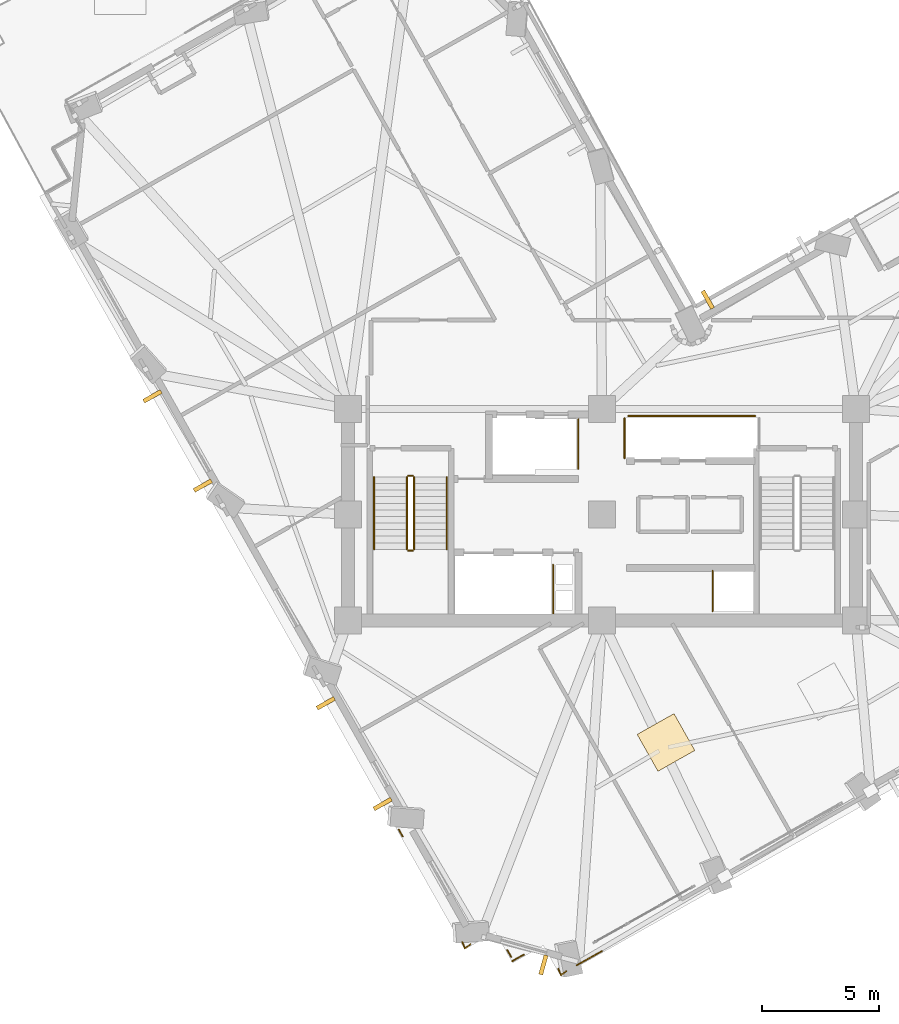
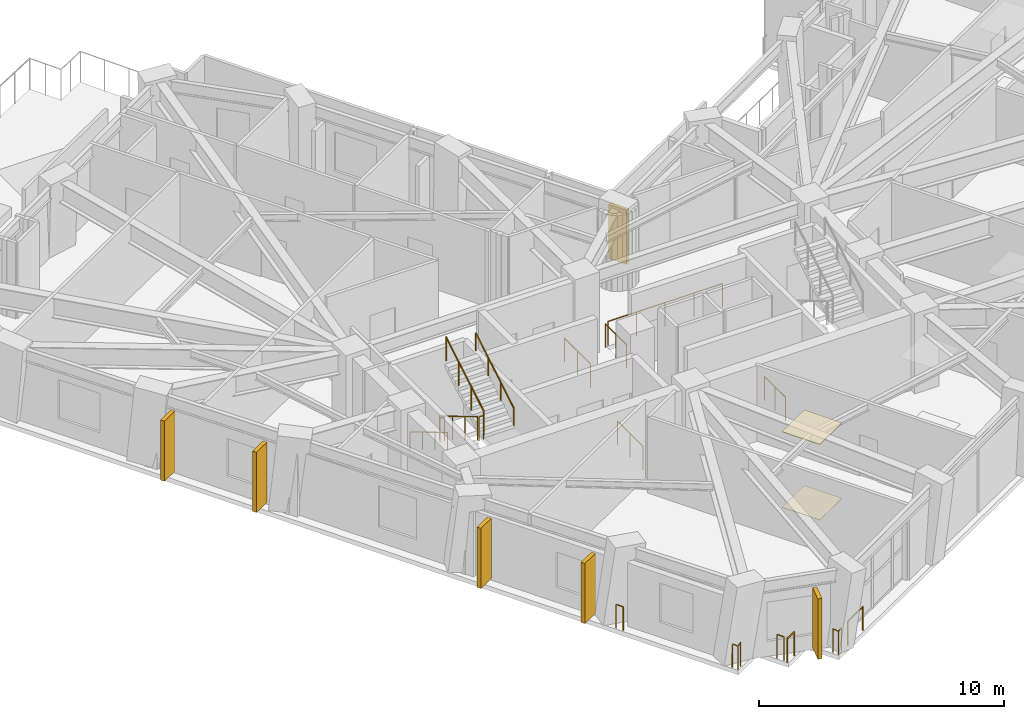
# One storey, part 15 of 18: 17 railings, 6 shading devices, 2 coverings.
"""IFC4 building model written with IfcOpenShell, lengths in metres."""

from ifc_helpers import new_model, si_unit, direction, frame, origin, origin_2d, place, context, subcontext, project, spatial, rectangle, circle, extrude, material, layer, layer_set, type_object, element, save


model = new_model("IFC4")

# Units and contexts
model_context = context("Model", 3, precision=1e-05, world=origin(), true_north=direction((0.0, 1.0)))
body_context = subcontext(model_context, "Body", "Model", "MODEL_VIEW")
ifc_project = project(units=[si_unit("LENGTHUNIT", "METRE"), si_unit("AREAUNIT", "SQUARE_METRE"), si_unit("VOLUMEUNIT", "CUBIC_METRE"), si_unit("PLANEANGLEUNIT", "RADIAN"), si_unit("MASSUNIT", "GRAM", prefix="KILO")], contexts=[model_context])

# Site, building, storey
site_placement = place(None, origin())
site = spatial("IfcSite", under=ifc_project, at=site_placement, CompositionType="ELEMENT")
building_placement = place(site_placement, origin())
building = spatial("IfcBuilding", under=site, at=building_placement, Name="Gaonmaruhae Medical Tower", CompositionType="ELEMENT")
storey_placement = place(building_placement, frame((0.0, 0.0, 149.800048828125)))
storey = spatial("IfcBuildingStorey", under=building, at=storey_placement, Name="L35", CompositionType="ELEMENT", Elevation=149.800048828125)

# Coverings
ifc_material_1 = material(Name="Acoustic mineral ceiling tile", Category="finish")
ifc_layer_1 = layer(ifc_material_1, 0.02490234375)
ifc_layer_set_1 = layer_set([ifc_layer_1], Name="Acoustic mineral ceiling tile")
covering_type_1 = type_object("IfcCoveringType", Name="CLG-01 Antimicrobial Acoustic Mineral Ceiling", PredefinedType="CEILING", material=ifc_layer_set_1)
covering_1_placement = place(storey_placement, frame((27.522705078125, 2.60400390625, 3.7548828125), z_axis=(0.0, 0.0, 1.0), x_axis=(0.8707850851, 0.491663844071, 0.0)))
element("IfcCovering", 1, at=covering_1_placement, inside=storey, type_object=covering_type_1, Name="L35 Clinical Room Acoustic Ceiling 2", PredefinedType="CEILING", context=body_context, shape_type="SweptSolid", body=[
    extrude(rectangle(XDim=1.800048828125, YDim=1.800048828125, at=origin_2d()), origin(), (0.0, 0.0, 1.0), 0.02490234375),
])
ifc_material_2 = material(Name="Seamless clinical vinyl flooring", Category="finish")
ifc_layer_2 = layer(ifc_material_2, 0.014892578125)
ifc_layer_set_2 = layer_set([ifc_layer_2], Name="Seamless clinical vinyl flooring")
covering_type_2 = type_object("IfcCoveringType", Name="FLR-01 Seamless Clinical Antistatic Vinyl Flooring", PredefinedType="FLOORING", material=ifc_layer_set_2)
covering_2_placement = place(storey_placement, frame((27.522705078125, 2.60400390625, 0.0), z_axis=(0.0, 0.0, 1.0), x_axis=(0.8707850851, 0.491663844071, 0.0)))
element("IfcCovering", 2, at=covering_2_placement, inside=storey, type_object=covering_type_2, Name="L35 Clinical Room Vinyl Flooring 2", PredefinedType="FLOORING", context=body_context, shape_type="SweptSolid", body=[
    extrude(rectangle(XDim=1.800048828125, YDim=1.800048828125, at=origin_2d()), origin(), (0.0, 0.0, 1.0), 0.014892578125),
])

# Railings
ifc_material_3 = material(Name="Stainless steel 316L and laminated safety glass", Category="steel")
ifc_layer_3 = layer(ifc_material_3, 0.080078125)
ifc_layer_set_3 = layer_set([ifc_layer_3], Name="Stainless steel 316L and laminated safety glass")
railing_type_1 = type_object("IfcRailingType", Name="GD-120 Outdoor Terrace Safety Glass & Steel Balustrade", PredefinedType="BALUSTRADE", material=ifc_layer_set_3)
railing_1_placement = place(storey_placement, frame((24.793701171875, -6.275146484375, 0.0)))
element("IfcRailing", 3, at=railing_1_placement, inside=storey, type_object=railing_type_1, Name="L35 Perimeter Slab Edge Safety Balustrade 04", PredefinedType="BALUSTRADE", context=body_context, shape_type="SweptSolid", body=[
    extrude(circle(Radius=0.02392578125, at=origin_2d()), frame((0.0, 0.0, 1.17578125), z_axis=(-0.870820217822, -0.491601615368, 0.0), x_axis=(0.491601615368, -0.870820217822, 0.0)), (0.0, 0.0, 1.0), 1.236083984375),
    extrude(circle(Radius=0.02099609375, at=origin_2d()), origin(), (0.0, 0.0, 1.0), 1.15185546875),
    extrude(circle(Radius=0.02099609375, at=origin_2d()), frame((-1.076416015625, -0.607666015625, 0.0)), (0.0, 0.0, 1.0), 1.15185546875),
])
railing_2_placement = place(storey_placement, frame((21.46728515625, -6.4306640625, 0.0)))
element("IfcRailing", 4, at=railing_2_placement, inside=storey, type_object=railing_type_1, Name="L35 Perimeter Slab Edge Safety Balustrade 05", PredefinedType="BALUSTRADE", context=body_context, shape_type="SweptSolid", body=[
    extrude(circle(Radius=0.02392578125, at=origin_2d()), frame((0.0, 0.0, 1.17578125), z_axis=(-0.870806252446, -0.491626352732, 0.0), x_axis=(0.491626352732, -0.870806252446, 0.0)), (0.0, 0.0, 1.0), 0.56005859375),
    extrude(circle(Radius=0.02099609375, at=origin_2d()), origin(), (0.0, 0.0, 1.0), 1.15185546875),
    extrude(circle(Radius=0.02099609375, at=origin_2d()), frame((-0.48779296875, -0.275390625, 0.0)), (0.0, 0.0, 1.0), 1.15185546875),
])
railing_3_placement = place(storey_placement, frame((20.93310546875, -6.521728515625, 0.0)))
element("IfcRailing", 5, at=railing_3_placement, inside=storey, type_object=railing_type_1, Name="L35 Perimeter Slab Edge Safety Balustrade 06", PredefinedType="BALUSTRADE", context=body_context, shape_type="SweptSolid", body=[
    extrude(circle(Radius=0.02392578125, at=origin_2d()), frame((0.0, 0.0, 1.17578125), z_axis=(-0.491786328695, 0.870715916306, 0.0), x_axis=(-0.870715916306, -0.491786328695, 0.0)), (0.0, 0.0, 1.0), 0.32666015625),
    extrude(circle(Radius=0.02099609375, at=origin_2d()), origin(), (0.0, 0.0, 1.0), 1.15185546875),
    extrude(circle(Radius=0.02099609375, at=origin_2d()), frame((-0.16064453125, 0.284423828125, 0.0)), (0.0, 0.0, 1.0), 1.15185546875),
])
railing_4_placement = place(storey_placement, frame((16.317138671875, -1.3974609375, 0.0)))
element("IfcRailing", 6, at=railing_4_placement, inside=storey, type_object=railing_type_1, Name="L35 Perimeter Slab Edge Safety Balustrade 07", PredefinedType="BALUSTRADE", context=body_context, shape_type="SweptSolid", body=[
    extrude(circle(Radius=0.02392578125, at=origin_2d()), frame((0.0, 0.0, 1.17578125), z_axis=(-0.491251232856, 0.871017925313, 0.0), x_axis=(-0.871017925313, -0.491251232856, 0.0)), (0.0, 0.0, 1.0), 0.33935546875),
    extrude(circle(Radius=0.02099609375, at=origin_2d()), origin(), (0.0, 0.0, 1.0), 1.15185546875),
    extrude(circle(Radius=0.02099609375, at=origin_2d()), frame((-0.166748046875, 0.295654296875, 0.0)), (0.0, 0.0, 1.0), 1.15185546875),
])
railing_5_placement = place(storey_placement, frame((23.284423828125, -7.127197265625, 0.0)))
element("IfcRailing", 7, at=railing_5_placement, inside=storey, type_object=railing_type_1, Name="L35 Perimeter Corner Safety Balustrade 09", PredefinedType="BALUSTRADE", context=body_context, shape_type="SweptSolid", body=[
    extrude(circle(Radius=0.02392578125, at=origin_2d()), frame((0.0, 0.0, 1.17578125), z_axis=(-0.803963921388, -0.594678075185, 0.0), x_axis=(0.594678075185, -0.803963921388, 0.0)), (0.0, 0.0, 1.0), 0.286865234375),
    extrude(circle(Radius=0.02392578125, at=origin_2d()), frame((-0.230712890625, -0.170654296875, 1.17578125), z_axis=(-0.382501940724, 0.923954687927, 0.0), x_axis=(-0.923954687927, -0.382501940724, 0.0)), (0.0, 0.0, 1.0), 0.287109375),
    extrude(circle(Radius=0.02099609375, at=origin_2d()), origin(), (0.0, 0.0, 1.0), 1.15185546875),
    extrude(circle(Radius=0.02099609375, at=origin_2d()), frame((-0.230712890625, -0.170654296875, 0.0)), (0.0, 0.0, 1.0), 1.15185546875),
    extrude(circle(Radius=0.02099609375, at=origin_2d()), frame((-0.340576171875, 0.0947265625, 0.0)), (0.0, 0.0, 1.0), 1.15185546875),
])
railing_6_placement = place(storey_placement, frame((19.197265625, -5.98974609375, 0.0)))
element("IfcRailing", 8, at=railing_6_placement, inside=storey, type_object=railing_type_1, Name="L35 Perimeter Corner Safety Balustrade 10", PredefinedType="BALUSTRADE", context=body_context, shape_type="SweptSolid", body=[
    extrude(circle(Radius=0.02392578125, at=origin_2d()), frame((0.0, 0.0, 1.17578125), z_axis=(-0.804264475834, -0.594271531298, 0.0), x_axis=(0.594271531298, -0.804264475834, 0.0)), (0.0, 0.0, 1.0), 0.287109375),
    extrude(circle(Radius=0.02392578125, at=origin_2d()), frame((-0.23095703125, -0.170654296875, 1.17578125), z_axis=(-0.381775944797, 0.92425490422, 0.0), x_axis=(-0.92425490422, -0.381775944797, 0.0)), (0.0, 0.0, 1.0), 0.287109375),
    extrude(circle(Radius=0.02099609375, at=origin_2d()), origin(), (0.0, 0.0, 1.0), 1.15185546875),
    extrude(circle(Radius=0.02099609375, at=origin_2d()), frame((-0.23095703125, -0.170654296875, 0.0)), (0.0, 0.0, 1.0), 1.15185546875),
    extrude(circle(Radius=0.02099609375, at=origin_2d()), frame((-0.340576171875, 0.0947265625, 0.0)), (0.0, 0.0, 1.0), 1.15185546875),
])
ifc_material_4 = material(Name="Stainless steel 304 handrail", Category="steel")
railing_type_2 = type_object("IfcRailingType", Name="HR-092 Continuous Stainless Steel Stair Handrail", PredefinedType="HANDRAIL", material=ifc_material_4)
railing_7_placement = place(storey_placement, frame((15.10009765625, 13.89990234375, 0.16650390625)))
element("IfcRailing", 9, at=railing_7_placement, inside=storey, type_object=railing_type_2, Name="L35 ST-01 stair handrail 1", PredefinedType="HANDRAIL", context=body_context, shape_type="SweptSolid", body=[
    extrude(circle(Radius=0.02392578125, at=origin_2d()), frame((0.0, 0.0, 0.8759765625), z_axis=(0.0, -0.859260807169, 0.511537745687), x_axis=(1.0, 0.0, 0.0)), (0.0, 0.0, 1.0), 3.584228515625),
    extrude(circle(Radius=0.02099609375, at=origin_2d()), origin(), (0.0, 0.0, 1.0), 0.851806640625),
    extrude(circle(Radius=0.02099609375, at=origin_2d()), frame((0.0, -1.026611328125, 0.611083984375)), (0.0, 0.0, 1.0), 0.851806640625),
    extrude(circle(Radius=0.02099609375, at=origin_2d()), frame((0.0, -2.05322265625, 1.222412109375)), (0.0, 0.0, 1.0), 0.851806640625),
    extrude(circle(Radius=0.02099609375, at=origin_2d()), frame((0.0, -3.079833984375, 1.83349609375)), (0.0, 0.0, 1.0), 0.851806640625),
])
railing_8_placement = place(storey_placement, frame((18.199951171875, 10.820068359375, 2.16650390625)))
element("IfcRailing", 10, at=railing_8_placement, inside=storey, type_object=railing_type_2, Name="L35 ST-01 stair handrail 2", PredefinedType="HANDRAIL", context=body_context, shape_type="SweptSolid", body=[
    extrude(circle(Radius=0.02392578125, at=origin_2d()), frame((0.0, 0.0, 0.8759765625), z_axis=(0.0, 0.859260807169, 0.511537745687), x_axis=(-1.0, 0.0, 0.0)), (0.0, 0.0, 1.0), 3.584228515625),
    extrude(circle(Radius=0.02099609375, at=origin_2d()), origin(), (0.0, 0.0, 1.0), 0.851806640625),
    extrude(circle(Radius=0.02099609375, at=origin_2d()), frame((0.0, 1.026611328125, 0.611083984375)), (0.0, 0.0, 1.0), 0.851806640625),
    extrude(circle(Radius=0.02099609375, at=origin_2d()), frame((0.0, 2.05322265625, 1.222412109375)), (0.0, 0.0, 1.0), 0.851806640625),
    extrude(circle(Radius=0.02099609375, at=origin_2d()), frame((0.0, 3.079833984375, 1.83349609375)), (0.0, 0.0, 1.0), 0.851806640625),
])

# Shading devices
ifc_material_5 = material(Name="Pigmented coral precast concrete C45/55", Category="concrete")
shading_device_type = type_object("IfcShadingDeviceType", Name="SD-FIN1 Tower Vertical Coral Precast Shading Fin", PredefinedType="USERDEFINED", material=ifc_material_5)
shading_device_placement = place(storey_placement, frame((29.2978515625, 21.446533203125, 0.0400390625), z_axis=(0.0, 0.0, 1.0), x_axis=(0.8707850851, 0.491663844071, 0.0)))
element("IfcShadingDevice", 11, at=shading_device_placement, inside=storey, type_object=shading_device_type, Name="L35 Vertical Coral Precast Shading Fin EN03", ObjectType="FIN", PredefinedType="USERDEFINED", context=body_context, shape_type="SweptSolid", body=[
    extrude(rectangle(XDim=0.179931640625, YDim=0.85009765625, at=origin_2d()), origin(), (0.0, 0.0, 1.0), 2.68505859375),
])
for number, where, z_axis, x_axis, name in (
    (12, (7.81201171875, 13.53369140625, 0.08251953125), (0.0, 0.0, 1.0), (-0.491663844071, 0.8707850851, 0.0), "L35 Vertical Coral Precast Shading Fin W02"),
    (13, (5.66748046875, 17.33203125, 0.08251953125), (0.0, 0.0, 1.0), (-0.491663844071, 0.8707850851, 0.0), "L35 Vertical Coral Precast Shading Fin W02B"),
    (14, (15.46337890625, -0.017578125, 0.08251953125), (0.0, 0.0, 1.0), (-0.491663844071, 0.8707850851, 0.0), "L35 Vertical Coral Precast Shading Fin W04"),
    (15, (13.042724609375, 4.26953125, 0.08251953125), (0.0, 0.0, 1.0), (-0.491663844071, 0.8707850851, 0.0), "L35 Vertical Coral Precast Shading Fin W04B"),
    (16, (22.3056640625, -6.86279296875, 0.08251953125), (0.0, 0.0, 1.0), (-0.963396876837, 0.268079200424, 0.0), "L35 Vertical Coral Precast Shading Fin W06"),
):
    element("IfcShadingDevice", number, at=place(storey_placement, frame(where, z_axis=z_axis, x_axis=x_axis)), inside=storey, type_object=shading_device_type, Name=name, ObjectType="FIN", PredefinedType="USERDEFINED", context=body_context, shape_type="SweptSolid", body=[
        extrude(rectangle(XDim=0.179931640625, YDim=0.85009765625, at=origin_2d()), origin(), (0.0, 0.0, 1.0), 3.0),
    ])

# Railings
ifc_material_6 = material(Name="Stainless steel 304 balustrade", Category="steel")
railing_type_3 = type_object("IfcRailingType", Name="SG-112 Stair Well & Ramp Void Safety Balustrade", PredefinedType="BALUSTRADE", material=ifc_material_6)
railing_9_placement = place(storey_placement, frame((16.5, 13.89990234375, 0.16650390625)))
element("IfcRailing", 17, at=railing_9_placement, inside=storey, type_object=railing_type_3, Name="L35 ST-01 stair guard 1", PredefinedType="BALUSTRADE", context=body_context, shape_type="SweptSolid", body=[
    extrude(circle(Radius=0.02392578125, at=origin_2d()), frame((0.0, 0.0, 1.17578125), z_axis=(0.0, -0.859260807169, 0.511537745687), x_axis=(1.0, 0.0, 0.0)), (0.0, 0.0, 1.0), 3.584228515625),
    extrude(circle(Radius=0.02099609375, at=origin_2d()), origin(), (0.0, 0.0, 1.0), 1.15185546875),
    extrude(circle(Radius=0.02099609375, at=origin_2d()), frame((0.0, -1.026611328125, 0.611083984375)), (0.0, 0.0, 1.0), 1.15185546875),
    extrude(circle(Radius=0.02099609375, at=origin_2d()), frame((0.0, -2.05322265625, 1.222412109375)), (0.0, 0.0, 1.0), 1.15185546875),
    extrude(circle(Radius=0.02099609375, at=origin_2d()), frame((0.0, -3.079833984375, 1.83349609375)), (0.0, 0.0, 1.0), 1.15185546875),
])
railing_10_placement = place(storey_placement, frame((16.550048828125, 10.77001953125, 2.0)))
element("IfcRailing", 18, at=railing_10_placement, inside=storey, type_object=railing_type_3, Name="L35 ST-01 stair guard 2", PredefinedType="BALUSTRADE", context=body_context, shape_type="SweptSolid", body=[
    extrude(circle(Radius=0.02392578125, at=origin_2d()), frame((0.0, 0.0, 1.17578125), z_axis=(1.0, 0.0, 0.0), x_axis=(0.0, 1.0, 0.0)), (0.0, 0.0, 1.0), 0.199951171875),
    extrude(circle(Radius=0.02099609375, at=origin_2d()), origin(), (0.0, 0.0, 1.0), 1.15185546875),
    extrude(circle(Radius=0.02099609375, at=origin_2d()), frame((0.199951171875, 0.0, 0.0)), (0.0, 0.0, 1.0), 1.15185546875),
])
railing_11_placement = place(storey_placement, frame((16.800048828125, 10.820068359375, 2.16650390625)))
element("IfcRailing", 19, at=railing_11_placement, inside=storey, type_object=railing_type_3, Name="L35 ST-01 stair guard 3", PredefinedType="BALUSTRADE", context=body_context, shape_type="SweptSolid", body=[
    extrude(circle(Radius=0.02392578125, at=origin_2d()), frame((0.0, 0.0, 1.17578125), z_axis=(0.0, 0.859260807169, 0.511537745687), x_axis=(-1.0, 0.0, 0.0)), (0.0, 0.0, 1.0), 3.584228515625),
    extrude(circle(Radius=0.02099609375, at=origin_2d()), origin(), (0.0, 0.0, 1.0), 1.15185546875),
    extrude(circle(Radius=0.02099609375, at=origin_2d()), frame((0.0, 1.026611328125, 0.611083984375)), (0.0, 0.0, 1.0), 1.15185546875),
    extrude(circle(Radius=0.02099609375, at=origin_2d()), frame((0.0, 2.05322265625, 1.222412109375)), (0.0, 0.0, 1.0), 1.15185546875),
    extrude(circle(Radius=0.02099609375, at=origin_2d()), frame((0.0, 3.079833984375, 1.83349609375)), (0.0, 0.0, 1.0), 1.15185546875),
])
railing_12_placement = place(storey_placement, frame((16.550048828125, 13.949951171875, 0.0)))
element("IfcRailing", 20, at=railing_12_placement, inside=storey, type_object=railing_type_3, Name="L35 ST-01 stair guard 4", PredefinedType="BALUSTRADE", context=body_context, shape_type="SweptSolid", body=[
    extrude(circle(Radius=0.02392578125, at=origin_2d()), frame((0.0, 0.0, 1.17578125), z_axis=(1.0, 0.0, 0.0), x_axis=(0.0, 1.0, 0.0)), (0.0, 0.0, 1.0), 0.199951171875),
    extrude(circle(Radius=0.02099609375, at=origin_2d()), origin(), (0.0, 0.0, 1.0), 1.15185546875),
    extrude(circle(Radius=0.02099609375, at=origin_2d()), frame((0.199951171875, 0.0, 0.0)), (0.0, 0.0, 1.0), 1.15185546875),
])
railing_13_placement = place(storey_placement, frame((29.5048828125, 8.195068359375, 0.0)))
element("IfcRailing", 21, at=railing_13_placement, inside=storey, type_object=railing_type_3, Name="L35 Shaft Edge Safety Guard 11", PredefinedType="BALUSTRADE", context=body_context, shape_type="SweptSolid", body=[
    extrude(circle(Radius=0.02392578125, at=origin_2d()), frame((0.0, 0.0, 1.17578125), z_axis=(0.0, 1.0, 0.0), x_axis=(-1.0, 0.0, 0.0)), (0.0, 0.0, 1.0), 1.7099609375),
    extrude(circle(Radius=0.02099609375, at=origin_2d()), origin(), (0.0, 0.0, 1.0), 1.15185546875),
    extrude(circle(Radius=0.02099609375, at=origin_2d()), frame((0.0, 0.85498046875, 0.0)), (0.0, 0.0, 1.0), 1.15185546875),
    extrude(circle(Radius=0.02099609375, at=origin_2d()), frame((0.0, 1.7099609375, 0.0)), (0.0, 0.0, 1.0), 1.15185546875),
])
railing_14_placement = place(storey_placement, frame((22.719970703125, 10.159912109375, 0.0)))
element("IfcRailing", 22, at=railing_14_placement, inside=storey, type_object=railing_type_3, Name="L35 Shaft Edge Safety Guard 12", PredefinedType="BALUSTRADE", context=body_context, shape_type="SweptSolid", body=[
    extrude(circle(Radius=0.02392578125, at=origin_2d()), frame((0.0, 0.0, 1.17578125), z_axis=(0.0, -1.0, 0.0), x_axis=(1.0, 0.0, 0.0)), (0.0, 0.0, 1.0), 2.06494140625),
    extrude(circle(Radius=0.02099609375, at=origin_2d()), origin(), (0.0, 0.0, 1.0), 1.15185546875),
    extrude(circle(Radius=0.02099609375, at=origin_2d()), frame((0.0, -1.032470703125, 0.0)), (0.0, 0.0, 1.0), 1.15185546875),
    extrude(circle(Radius=0.02099609375, at=origin_2d()), frame((0.0, -2.06494140625, 0.0)), (0.0, 0.0, 1.0), 1.15185546875),
])
railing_15_placement = place(storey_placement, frame((23.794921875, 16.35498046875, 0.0)))
element("IfcRailing", 23, at=railing_15_placement, inside=storey, type_object=railing_type_3, Name="L35 Shaft Edge Safety Guard 13", PredefinedType="BALUSTRADE", context=body_context, shape_type="SweptSolid", body=[
    extrude(circle(Radius=0.02392578125, at=origin_2d()), frame((0.0, 0.0, 1.17578125), z_axis=(0.0, -1.0, 0.0), x_axis=(1.0, 0.0, 0.0)), (0.0, 0.0, 1.0), 2.10986328125),
    extrude(circle(Radius=0.02099609375, at=origin_2d()), origin(), (0.0, 0.0, 1.0), 1.15185546875),
    extrude(circle(Radius=0.02099609375, at=origin_2d()), frame((0.0, -1.054931640625, 0.0)), (0.0, 0.0, 1.0), 1.15185546875),
    extrude(circle(Radius=0.02099609375, at=origin_2d()), frame((0.0, -2.10986328125, 0.0)), (0.0, 0.0, 1.0), 1.15185546875),
])
railing_16_placement = place(storey_placement, frame((25.7548828125, 14.695068359375, 0.0)))
element("IfcRailing", 24, at=railing_16_placement, inside=storey, type_object=railing_type_3, Name="L35 Shaft Edge Safety Guard 15", PredefinedType="BALUSTRADE", context=body_context, shape_type="SweptSolid", body=[
    extrude(circle(Radius=0.02392578125, at=origin_2d()), frame((0.0, 0.0, 1.17578125), z_axis=(0.0, 1.0, 0.0), x_axis=(-1.0, 0.0, 0.0)), (0.0, 0.0, 1.0), 1.7099609375),
    extrude(circle(Radius=0.02099609375, at=origin_2d()), origin(), (0.0, 0.0, 1.0), 1.15185546875),
    extrude(circle(Radius=0.02099609375, at=origin_2d()), frame((0.0, 0.85498046875, 0.0)), (0.0, 0.0, 1.0), 1.15185546875),
    extrude(circle(Radius=0.02099609375, at=origin_2d()), frame((0.0, 1.7099609375, 0.0)), (0.0, 0.0, 1.0), 1.15185546875),
])
railing_17_placement = place(storey_placement, frame((25.919921875, 16.4951171875, 0.0)))
element("IfcRailing", 25, at=railing_17_placement, inside=storey, type_object=railing_type_3, Name="L35 Shaft Edge Safety Guard 16", PredefinedType="BALUSTRADE", context=body_context, shape_type="SweptSolid", body=[
    extrude(circle(Radius=0.02392578125, at=origin_2d()), frame((0.0, 0.0, 1.17578125), z_axis=(1.0, 0.0, 0.0), x_axis=(0.0, 1.0, 0.0)), (0.0, 0.0, 1.0), 5.41015625),
    extrude(circle(Radius=0.02099609375, at=origin_2d()), origin(), (0.0, 0.0, 1.0), 1.15185546875),
    extrude(circle(Radius=0.02099609375, at=origin_2d()), frame((1.3525390625, 0.0, 0.0)), (0.0, 0.0, 1.0), 1.15185546875),
    extrude(circle(Radius=0.02099609375, at=origin_2d()), frame((2.705078125, 0.0, 0.0)), (0.0, 0.0, 1.0), 1.15185546875),
    extrude(circle(Radius=0.02099609375, at=origin_2d()), frame((4.0576171875, 0.0, 0.0)), (0.0, 0.0, 1.0), 1.15185546875),
    extrude(circle(Radius=0.02099609375, at=origin_2d()), frame((5.41015625, 0.0, 0.0)), (0.0, 0.0, 1.0), 1.15185546875),
])

save(model, "model.ifc")
